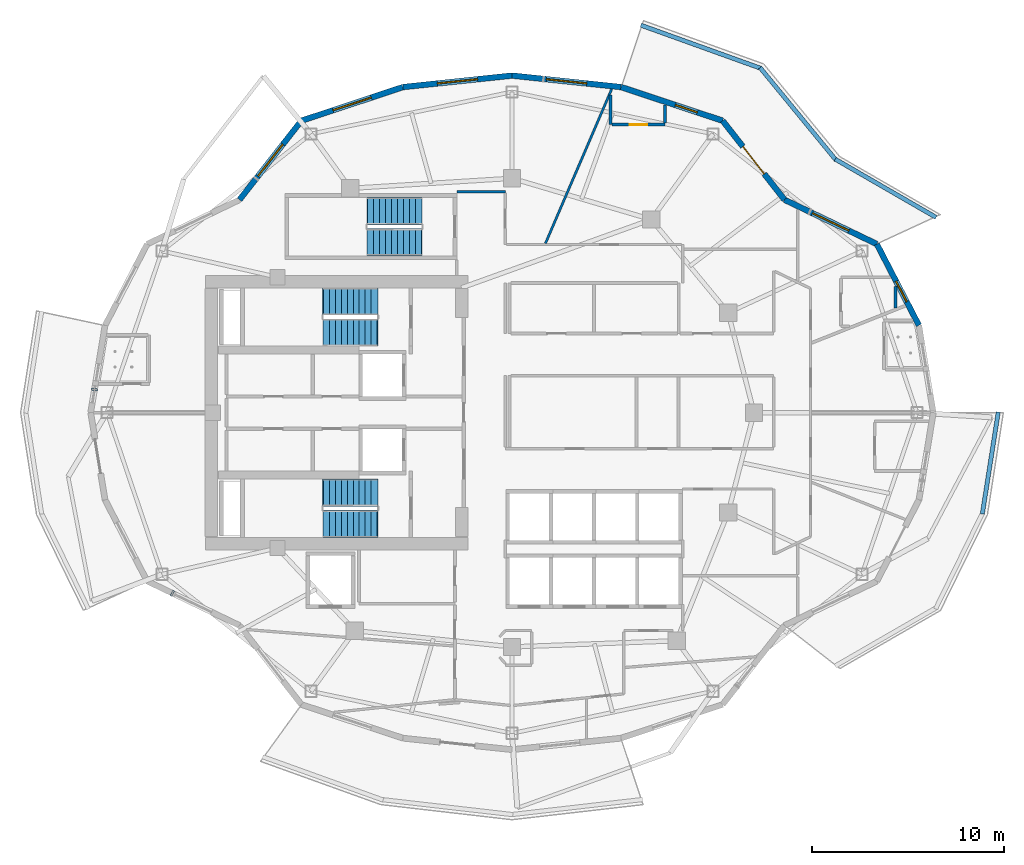
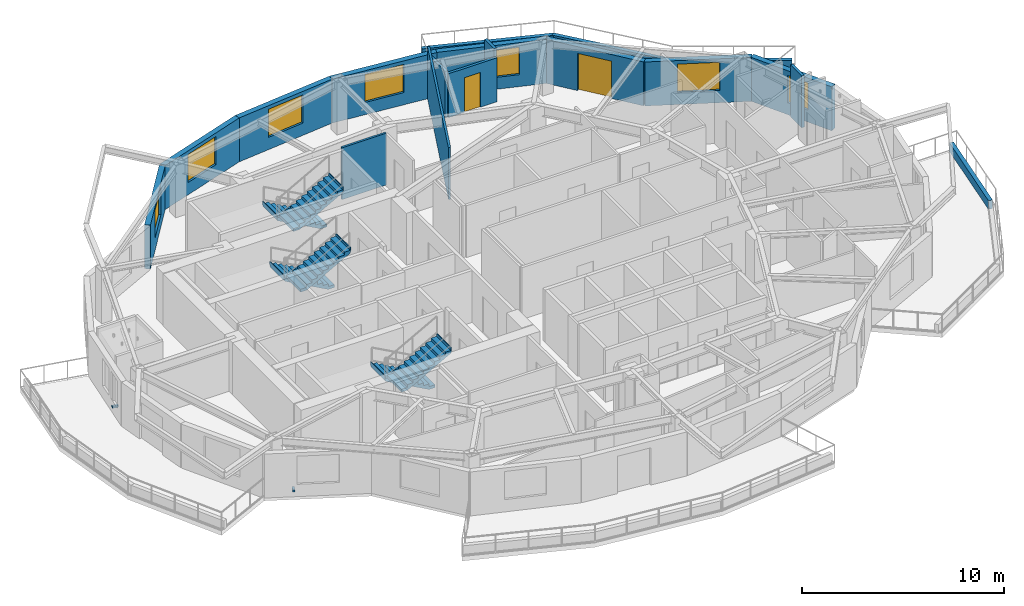
# One storey, part 7 of 13: 18 walls, 7 windows, 6 stair flights, 2 discrete accessories, 2 doors, 9 openings, 3 elements without a shape of their own.
"""IFC4 building model written with IfcOpenShell, lengths in metres."""

from ifc_helpers import new_model, si_unit, direction, frame, frame_2d, origin, origin_2d, place, context, subcontext, project, spatial, polyline, rectangle, outline, extrude, material, layer, layer_set, type_object, element, fill, aggregate, save


model = new_model("IFC4")

# Units and contexts
model_context = context("Model", 3, precision=1e-05, world=origin(), true_north=direction((0.0, 1.0)))
body_context = subcontext(model_context, "Body", "Model", "MODEL_VIEW")
ifc_project = project(units=[si_unit("LENGTHUNIT", "METRE"), si_unit("AREAUNIT", "SQUARE_METRE"), si_unit("VOLUMEUNIT", "CUBIC_METRE"), si_unit("PLANEANGLEUNIT", "RADIAN"), si_unit("MASSUNIT", "GRAM", prefix="KILO")], contexts=[model_context])

# Site, building, storey
site_placement = place(None, origin())
site = spatial("IfcSite", under=ifc_project, at=site_placement, CompositionType="ELEMENT")
building_placement = place(site_placement, origin())
building = spatial("IfcBuilding", under=site, at=building_placement, Name="Kolvaren Gate Tower and Convention Centre", CompositionType="ELEMENT")
storey_placement = place(building_placement, frame((0.0, 0.0, 166.5)))
storey = spatial("IfcBuildingStorey", under=building, at=storey_placement, Name="L43", CompositionType="ELEMENT", Elevation=166.5)

# Walls
ifc_material_1 = material(Name="Fire-Rated Acoustic Gypsum Stud Partition", Category="gypsum")
ifc_layer_1 = layer(ifc_material_1, 0.1201171875)
ifc_layer_set_1 = layer_set([ifc_layer_1], Name="Fire-Rated Acoustic Gypsum Stud Partition")
wall_type_1 = type_object("IfcWallType", Name="ARCH-WL-PART-120", PredefinedType="PARTITIONING", material=ifc_layer_set_1)
wall_1_placement = place(storey_placement, frame((27.25, 38.5, 0.0), z_axis=(0.0, 0.0, 1.0), x_axis=(1.0, 0.0, 0.0)))
element("IfcWall", 1, at=wall_1_placement, inside=storey, type_object=wall_type_1, Name="Interior Partition WL-L43-INT-031", PredefinedType="PARTITIONING", context=body_context, shape_type="SweptSolid", body=[
    extrude(rectangle(XDim=2.530029296875, YDim=0.1201171875, at=frame_2d((1.26513671875, 0.0))), origin(), (0.0, 0.0, 1.0), 3.1298828125),
])
wall_2_placement = place(storey_placement, frame((31.86669921875, 35.81201171875, 0.0), z_axis=(0.0, 0.0, 1.0), x_axis=(0.394572646642, 0.918864748765, 0.0)))
element("IfcWall", 2, at=wall_2_placement, inside=storey, type_object=wall_type_1, Name="Interior Partition WL-L43-INT-070", PredefinedType="PARTITIONING", context=body_context, shape_type="SweptSolid", body=[
    extrude(rectangle(XDim=8.747802734375, YDim=0.1201171875, at=frame_2d((4.3740234375, 0.0))), origin(), (0.0, 0.0, 1.0), 3.1298828125),
])
ifc_material_2 = material(Name="Piedmont Cream Honed Limestone Cladding", Category="masonry")
ifc_layer_2 = layer(ifc_material_2, 0.219970703125)
ifc_layer_set_2 = layer_set([ifc_layer_2], Name="Piedmont Cream Honed Limestone Cladding")
wall_type_2 = type_object("IfcWallType", Name="ARCH-WL-PLANTER-220", PredefinedType="PARAPET", material=ifc_layer_set_2)
wall_3_placement = place(storey_placement, frame((46.95751953125, 40.1953125, 0.0), z_axis=(0.0, 0.0, 1.0), x_axis=(0.866058128659, -0.499943314571, 0.0)))
element("IfcWall", 3, at=wall_3_placement, inside=storey, type_object=wall_type_2, Name="Vertical-Forest Balcony Stone Planter Kerb PK-L43-1.1", PredefinedType="PARAPET", context=body_context, shape_type="SweptSolid", body=[
    extrude(rectangle(XDim=6.060302734375, YDim=0.219970703125, at=frame_2d((3.0302734375, 0.0))), origin(), (0.0, 0.0, 1.0), 0.52001953125),
])
wall_4_placement = place(storey_placement, frame((43.0419921875, 44.96435546875, 0.0), z_axis=(0.0, 0.0, 1.0), x_axis=(0.634429234628, -0.77298094818, 0.0)))
element("IfcWall", 4, at=wall_4_placement, inside=storey, type_object=wall_type_2, Name="Vertical-Forest Balcony Stone Planter Kerb PK-L43-1.2", PredefinedType="PARAPET", context=body_context, shape_type="SweptSolid", body=[
    extrude(rectangle(XDim=6.244873046875, YDim=0.219970703125, at=frame_2d((3.12255859375, 0.0))), origin(), (0.0, 0.0, 1.0), 0.52001953125),
])
wall_5_placement = place(storey_placement, frame((36.836669921875, 47.173828125, 0.0), z_axis=(0.0, 0.0, 1.0), x_axis=(0.940948576924, -0.338549517184, 0.0)))
element("IfcWall", 5, at=wall_5_placement, inside=storey, type_object=wall_type_2, Name="Vertical-Forest Balcony Stone Planter Kerb PK-L43-1.3", PredefinedType="PARAPET", context=body_context, shape_type="SweptSolid", body=[
    extrude(rectangle(XDim=6.6640625, YDim=0.219970703125, at=frame_2d((3.33203125, 0.0))), origin(), (0.0, 0.0, 1.0), 0.52001953125),
])
wall_6_placement = place(storey_placement, frame((54.615234375, 21.719970703125, 0.0), z_axis=(0.0, 0.0, 1.0), x_axis=(0.154245214003, 0.988032597619, 0.0)))
element("IfcWall", 6, at=wall_6_placement, inside=storey, type_object=wall_type_2, Name="Vertical-Forest Balcony Stone Planter Kerb PK-L43-4.3", PredefinedType="PARAPET", context=body_context, shape_type="SweptSolid", body=[
    extrude(rectangle(XDim=5.37353515625, YDim=0.219970703125, at=frame_2d((2.686767578125, 0.0))), origin(), (0.0, 0.0, 1.0), 0.52001953125),
])

# Wall, opening, window
ifc_layer_3 = layer(ifc_material_2, 0.300048828125)
ifc_layer_set_3 = layer_set([ifc_layer_3], Name="Piedmont Cream Honed Limestone Cladding")
wall_type_3 = type_object("IfcWallType", Name="ARCH-WL-STONE-300", PredefinedType="SOLIDWALL", material=ifc_layer_set_3)
wall_7_placement = place(storey_placement, frame((49.123291015625, 35.77490234375, 0.0), z_axis=(0.0, 0.0, 1.0), x_axis=(0.459810251451, -0.888017191647, 0.0)))
wall_7 = element("IfcWall", 7, at=wall_7_placement, inside=storey, type_object=wall_type_3, Name="Tower L43 Honed Stone Spandrel Wall EW-01", PredefinedType="SOLIDWALL", context=body_context, shape_type="SweptSolid", body=[
    extrude(rectangle(XDim=4.766357421875, YDim=0.300048828125, at=frame_2d((2.38330078125, 0.0))), origin(), (0.0, 0.0, 1.0), 2.653076171875),
])
opening_1_placement = place(wall_7_placement, frame((2.179931640625, 0.0, 0.719970703125)))
opening_1 = element("IfcOpeningElement", 8, at=opening_1_placement, cuts=wall_7, Name="Opening W-04", PredefinedType="OPENING", context=body_context, shape_type="SweptSolid", body=[
    extrude(rectangle(XDim=1.199951171875, YDim=1.64990234375, at=frame_2d((0.60009765625, 0.824951171875))), frame((0.0, 0.159912109375, 0.0), z_axis=(0.0, -1.0, 0.0), x_axis=(1.0, 0.0, 0.0)), (0.0, 0.0, 1.0), 0.320068359375),
])
ifc_material_3 = material(Name="Low-E Triple Insulated Glazing Unit 44 mm", Category="glass")
window_type_1 = type_object("IfcWindowType", Name="ARCH-WN-NARROW-1200", PartitioningType="SINGLE_PANEL", PredefinedType="WINDOW", material=ifc_material_3)
window_1_placement = place(opening_1_placement, origin())
window_1 = element("IfcWindow", 9, at=window_1_placement, inside=storey, type_object=window_type_1, Name="Tower L43 Punched Stone Facade Window W-01", OverallHeight=1.64990234375, OverallWidth=1.199951171875, PartitioningType="SINGLE_PANEL", PredefinedType="WINDOW", context=body_context, shape_type="SweptSolid", body=[
    extrude(rectangle(XDim=1.199951171875, YDim=1.64990234375, at=frame_2d((0.60009765625, 0.824951171875))), frame((0.0, 0.030029296875, 0.0), z_axis=(0.0, -1.0, 0.0), x_axis=(1.0, 0.0, 0.0)), (0.0, 0.0, 1.0), 0.06005859375),
])
fill(opening_1, window_1)

wall_8_placement = place(storey_placement, frame((44.3134765625, 38.0859375, 0.0), z_axis=(0.0, 0.0, 1.0), x_axis=(0.901353070301, -0.433085029363, 0.0)))
wall_8 = element("IfcWall", 10, at=wall_8_placement, inside=storey, type_object=wall_type_3, Name="Tower L43 Honed Stone Spandrel Wall EW-02", PredefinedType="SOLIDWALL", context=body_context, shape_type="SweptSolid", body=[
    extrude(rectangle(XDim=5.336181640625, YDim=0.300048828125, at=frame_2d((2.66796875, 0.0))), origin(), (0.0, 0.0, 1.0), 2.653076171875),
])
opening_2_placement = place(wall_8_placement, frame((1.617919921875, 0.0, 0.739990234375)))
opening_2 = element("IfcOpeningElement", 11, at=opening_2_placement, cuts=wall_8, Name="Opening W-02", PredefinedType="OPENING", context=body_context, shape_type="SweptSolid", body=[
    extrude(rectangle(XDim=2.10009765625, YDim=1.699951171875, at=frame_2d((1.050048828125, 0.85009765625))), frame((0.0, 0.159912109375, 0.0), z_axis=(0.0, -1.0, 0.0), x_axis=(1.0, 0.0, 0.0)), (0.0, 0.0, 1.0), 0.320068359375),
])
window_type_2 = type_object("IfcWindowType", Name="ARCH-WN-HTL-2100", PartitioningType="SINGLE_PANEL", PredefinedType="WINDOW", material=ifc_material_3)
window_2_placement = place(opening_2_placement, origin())
window_2 = element("IfcWindow", 12, at=window_2_placement, inside=storey, type_object=window_type_2, Name="Tower L43 Punched Stone Facade Window W-02", OverallHeight=1.699951171875, OverallWidth=2.10009765625, PartitioningType="SINGLE_PANEL", PredefinedType="WINDOW", context=body_context, shape_type="SweptSolid", body=[
    extrude(rectangle(XDim=2.10009765625, YDim=1.699951171875, at=frame_2d((1.050048828125, 0.85009765625))), frame((0.0, 0.030029296875, 0.0), z_axis=(0.0, -1.0, 0.0), x_axis=(1.0, 0.0, 0.0)), (0.0, 0.0, 1.0), 0.06005859375),
])
fill(opening_2, window_2)

# Wall, opening, door
wall_9_placement = place(storey_placement, frame((41.09375, 42.19873046875, 0.0), z_axis=(0.0, 0.0, 1.0), x_axis=(0.616429245738, -0.787410302828, 0.0)))
wall_9 = element("IfcWall", 13, at=wall_9_placement, inside=storey, type_object=wall_type_3, Name="Tower L43 Honed Stone Spandrel Wall EW-03", PredefinedType="SOLIDWALL", context=body_context, shape_type="SweptSolid", body=[
    extrude(rectangle(XDim=5.22314453125, YDim=0.300048828125, at=frame_2d((2.611572265625, 0.0))), origin(), (0.0, 0.0, 1.0), 2.653076171875),
])
opening_3_placement = place(wall_9_placement, frame((1.7119140625, 0.0, 0.0)))
opening_3 = element("IfcOpeningElement", 14, at=opening_3_placement, cuts=wall_9, Name="Opening DB-01", PredefinedType="OPENING", context=body_context, shape_type="SweptSolid", body=[
    extrude(rectangle(XDim=1.800048828125, YDim=2.25, at=frame_2d((0.89990234375, 1.125))), frame((0.0, 0.159912109375, 0.0), z_axis=(0.0, -1.0, 0.0), x_axis=(1.0, 0.0, 0.0)), (0.0, 0.0, 1.0), 0.320068359375),
])
ifc_material_4 = material(Name="Anodized Architectural Aluminium Alloy 6063-T6", Category="aluminium")
door_type_1 = type_object("IfcDoorType", Name="ARCH-DR-BALC-1800", OperationType="SLIDING_TO_LEFT", PredefinedType="DOOR", material=ifc_material_4)
door_1_placement = place(opening_3_placement, origin())
door_1 = element("IfcDoor", 15, at=door_1_placement, inside=storey, type_object=door_type_1, Name="Planted Sky Terrace Access Door DB-L43-03", OperationType="SLIDING_TO_LEFT", OverallHeight=2.25, OverallWidth=1.800048828125, PredefinedType="DOOR", context=body_context, shape_type="SweptSolid", body=[
    extrude(rectangle(XDim=1.800048828125, YDim=2.25, at=frame_2d((0.89990234375, 1.125))), frame((0.0, 0.02490234375, 0.0), z_axis=(0.0, -1.0, 0.0), x_axis=(1.0, 0.0, 0.0)), (0.0, 0.0, 1.0), 0.050048828125),
])
fill(opening_3, door_1)

# Wall, opening, window
wall_10_placement = place(storey_placement, frame((35.802734375, 43.951904296875, 0.0), z_axis=(0.0, 0.0, 1.0), x_axis=(0.949246811547, -0.314532177636, 0.0)))
wall_10 = element("IfcWall", 16, at=wall_10_placement, inside=storey, type_object=wall_type_3, Name="Tower L43 Honed Stone Spandrel Wall EW-04", PredefinedType="SOLIDWALL", context=body_context, shape_type="SweptSolid", body=[
    extrude(rectangle(XDim=5.573974609375, YDim=0.300048828125, at=frame_2d((2.787109375, 0.0))), origin(), (0.0, 0.0, 1.0), 2.653076171875),
])
opening_4_placement = place(wall_10_placement, frame((2.97998046875, 0.0, 0.719970703125)))
opening_4 = element("IfcOpeningElement", 17, at=opening_4_placement, cuts=wall_10, Name="Opening W-04", PredefinedType="OPENING", context=body_context, shape_type="SweptSolid", body=[
    extrude(rectangle(XDim=1.199951171875, YDim=1.64990234375, at=frame_2d((0.60009765625, 0.824951171875))), frame((0.0, 0.159912109375, 0.0), z_axis=(0.0, -1.0, 0.0), x_axis=(1.0, 0.0, 0.0)), (0.0, 0.0, 1.0), 0.320068359375),
])
window_3_placement = place(opening_4_placement, origin())
window_3 = element("IfcWindow", 18, at=window_3_placement, inside=storey, type_object=window_type_1, Name="Tower L43 Punched Stone Facade Window W-04", OverallHeight=1.64990234375, OverallWidth=1.199951171875, PartitioningType="SINGLE_PANEL", PredefinedType="WINDOW", context=body_context, shape_type="SweptSolid", body=[
    extrude(rectangle(XDim=1.199951171875, YDim=1.64990234375, at=frame_2d((0.60009765625, 0.824951171875))), frame((0.0, 0.030029296875, 0.0), z_axis=(0.0, -1.0, 0.0), x_axis=(1.0, 0.0, 0.0)), (0.0, 0.0, 1.0), 0.06005859375),
])
fill(opening_4, window_3)

wall_11_placement = place(storey_placement, frame((30.125, 44.550048828125, 0.0), z_axis=(0.0, 0.0, 1.0), x_axis=(0.994496545245, -0.104769372887, 0.0)))
wall_11 = element("IfcWall", 19, at=wall_11_placement, inside=storey, type_object=wall_type_3, Name="Tower L43 Honed Stone Spandrel Wall EW-05", PredefinedType="SOLIDWALL", context=body_context, shape_type="SweptSolid", body=[
    extrude(rectangle(XDim=5.709228515625, YDim=0.300048828125, at=frame_2d((2.8544921875, 0.0))), origin(), (0.0, 0.0, 1.0), 2.653076171875),
])
opening_5_placement = place(wall_11_placement, frame((1.804931640625, 0.0, 0.739990234375)))
opening_5 = element("IfcOpeningElement", 20, at=opening_5_placement, cuts=wall_11, Name="Opening W-02", PredefinedType="OPENING", context=body_context, shape_type="SweptSolid", body=[
    extrude(rectangle(XDim=2.10009765625, YDim=1.699951171875, at=frame_2d((1.050048828125, 0.85009765625))), frame((0.0, 0.159912109375, 0.0), z_axis=(0.0, -1.0, 0.0), x_axis=(1.0, 0.0, 0.0)), (0.0, 0.0, 1.0), 0.320068359375),
])
window_4_placement = place(opening_5_placement, origin())
window_4 = element("IfcWindow", 21, at=window_4_placement, inside=storey, type_object=window_type_2, Name="Tower L43 Punched Stone Facade Window W-05", OverallHeight=1.699951171875, OverallWidth=2.10009765625, PartitioningType="SINGLE_PANEL", PredefinedType="WINDOW", context=body_context, shape_type="SweptSolid", body=[
    extrude(rectangle(XDim=2.10009765625, YDim=1.699951171875, at=frame_2d((1.050048828125, 0.85009765625))), frame((0.0, 0.030029296875, 0.0), z_axis=(0.0, -1.0, 0.0), x_axis=(1.0, 0.0, 0.0)), (0.0, 0.0, 1.0), 0.06005859375),
])
fill(opening_5, window_4)

wall_12_placement = place(storey_placement, frame((24.447265625, 43.951904296875, 0.0), z_axis=(0.0, 0.0, 1.0), x_axis=(0.994496545245, 0.104769372887, 0.0)))
wall_12 = element("IfcWall", 22, at=wall_12_placement, inside=storey, type_object=wall_type_3, Name="Tower L43 Honed Stone Spandrel Wall EW-06", PredefinedType="SOLIDWALL", context=body_context, shape_type="SweptSolid", body=[
    extrude(rectangle(XDim=5.709228515625, YDim=0.300048828125, at=frame_2d((2.8544921875, 0.0))), origin(), (0.0, 0.0, 1.0), 2.653076171875),
])
opening_6_placement = place(wall_12_placement, frame((1.804931640625, 0.0, 0.739990234375)))
opening_6 = element("IfcOpeningElement", 23, at=opening_6_placement, cuts=wall_12, Name="Opening W-02", PredefinedType="OPENING", context=body_context, shape_type="SweptSolid", body=[
    extrude(rectangle(XDim=2.10009765625, YDim=1.699951171875, at=frame_2d((1.050048828125, 0.85009765625))), frame((0.0, 0.159912109375, 0.0), z_axis=(0.0, -1.0, 0.0), x_axis=(1.0, 0.0, 0.0)), (0.0, 0.0, 1.0), 0.320068359375),
])
window_5_placement = place(opening_6_placement, origin())
window_5 = element("IfcWindow", 24, at=window_5_placement, inside=storey, type_object=window_type_2, Name="Tower L43 Punched Stone Facade Window W-06", OverallHeight=1.699951171875, OverallWidth=2.10009765625, PartitioningType="SINGLE_PANEL", PredefinedType="WINDOW", context=body_context, shape_type="SweptSolid", body=[
    extrude(rectangle(XDim=2.10009765625, YDim=1.699951171875, at=frame_2d((1.050048828125, 0.85009765625))), frame((0.0, 0.030029296875, 0.0), z_axis=(0.0, -1.0, 0.0), x_axis=(1.0, 0.0, 0.0)), (0.0, 0.0, 1.0), 0.06005859375),
])
fill(opening_6, window_5)

wall_13_placement = place(storey_placement, frame((19.15625, 42.19873046875, 0.0), z_axis=(0.0, 0.0, 1.0), x_axis=(0.949246811547, 0.314532177636, 0.0)))
wall_13 = element("IfcWall", 25, at=wall_13_placement, inside=storey, type_object=wall_type_3, Name="Tower L43 Honed Stone Spandrel Wall EW-07", PredefinedType="SOLIDWALL", context=body_context, shape_type="SweptSolid", body=[
    extrude(rectangle(XDim=5.573974609375, YDim=0.300048828125, at=frame_2d((2.787109375, 0.0))), origin(), (0.0, 0.0, 1.0), 2.653076171875),
])
opening_7_placement = place(wall_13_placement, frame((1.737060546875, 0.0, 0.739990234375)))
opening_7 = element("IfcOpeningElement", 26, at=opening_7_placement, cuts=wall_13, Name="Opening W-02", PredefinedType="OPENING", context=body_context, shape_type="SweptSolid", body=[
    extrude(rectangle(XDim=2.10009765625, YDim=1.699951171875, at=frame_2d((1.050048828125, 0.85009765625))), frame((0.0, 0.159912109375, 0.0), z_axis=(0.0, -1.0, 0.0), x_axis=(1.0, 0.0, 0.0)), (0.0, 0.0, 1.0), 0.320068359375),
])
window_6_placement = place(opening_7_placement, origin())
window_6 = element("IfcWindow", 27, at=window_6_placement, inside=storey, type_object=window_type_2, Name="Tower L43 Punched Stone Facade Window W-07", OverallHeight=1.699951171875, OverallWidth=2.10009765625, PartitioningType="SINGLE_PANEL", PredefinedType="WINDOW", context=body_context, shape_type="SweptSolid", body=[
    extrude(rectangle(XDim=2.10009765625, YDim=1.699951171875, at=frame_2d((1.050048828125, 0.85009765625))), frame((0.0, 0.030029296875, 0.0), z_axis=(0.0, -1.0, 0.0), x_axis=(1.0, 0.0, 0.0)), (0.0, 0.0, 1.0), 0.06005859375),
])
fill(opening_7, window_6)

wall_14_placement = place(storey_placement, frame((15.9365234375, 38.0859375, 0.0), z_axis=(0.0, 0.0, 1.0), x_axis=(0.616429245738, 0.787410302828, 0.0)))
wall_14 = element("IfcWall", 28, at=wall_14_placement, inside=storey, type_object=wall_type_3, Name="Tower L43 Honed Stone Spandrel Wall EW-08", PredefinedType="SOLIDWALL", context=body_context, shape_type="SweptSolid", body=[
    extrude(rectangle(XDim=5.22314453125, YDim=0.300048828125, at=frame_2d((2.611572265625, 0.0))), origin(), (0.0, 0.0, 1.0), 2.653076171875),
])
opening_8_placement = place(wall_14_placement, frame((1.56201171875, 0.0, 0.739990234375)))
opening_8 = element("IfcOpeningElement", 29, at=opening_8_placement, cuts=wall_14, Name="Opening W-02", PredefinedType="OPENING", context=body_context, shape_type="SweptSolid", body=[
    extrude(rectangle(XDim=2.10009765625, YDim=1.699951171875, at=frame_2d((1.050048828125, 0.85009765625))), frame((0.0, 0.159912109375, 0.0), z_axis=(0.0, -1.0, 0.0), x_axis=(1.0, 0.0, 0.0)), (0.0, 0.0, 1.0), 0.320068359375),
])
window_7_placement = place(opening_8_placement, origin())
window_7 = element("IfcWindow", 30, at=window_7_placement, inside=storey, type_object=window_type_2, Name="Tower L43 Punched Stone Facade Window W-08", OverallHeight=1.699951171875, OverallWidth=2.10009765625, PartitioningType="SINGLE_PANEL", PredefinedType="WINDOW", context=body_context, shape_type="SweptSolid", body=[
    extrude(rectangle(XDim=2.10009765625, YDim=1.699951171875, at=frame_2d((1.050048828125, 0.85009765625))), frame((0.0, 0.030029296875, 0.0), z_axis=(0.0, -1.0, 0.0), x_axis=(1.0, 0.0, 0.0)), (0.0, 0.0, 1.0), 0.06005859375),
])
fill(opening_8, window_7)

# Walls
ifc_material_5 = material(Name="Moisture-Resistant Cement-Board Acoustic Partition", Category="gypsum")
ifc_layer_4 = layer(ifc_material_5, 0.14990234375)
ifc_layer_set_4 = layer_set([ifc_layer_4], Name="Moisture-Resistant Cement-Board Acoustic Partition")
wall_type_4 = type_object("IfcWallType", Name="ARCH-WL-WET-150", PredefinedType="PARTITIONING", material=ifc_layer_set_4)
wall_15_placement = place(storey_placement, frame((50.10009765625, 32.44580078125, 0.0), z_axis=(0.0, 0.0, 1.0), x_axis=(0.0, 1.0, 0.0)))
element("IfcWall", 31, at=wall_15_placement, inside=storey, type_object=wall_type_4, Name="Interior Partition WL-L43-INT-068", PredefinedType="PARTITIONING", context=body_context, shape_type="SweptSolid", body=[
    extrude(rectangle(XDim=1.112548828125, YDim=0.14990234375, at=frame_2d((0.55615234375, 0.0))), origin(), (0.0, 0.0, 1.0), 3.1298828125),
])
wall_16_placement = place(storey_placement, frame((35.25, 42.0, 0.0), z_axis=(0.0, 0.0, 1.0), x_axis=(0.0, 1.0, 0.0)))
element("IfcWall", 32, at=wall_16_placement, inside=storey, type_object=wall_type_4, Name="Interior Partition WL-L43-INT-071", PredefinedType="PARTITIONING", context=body_context, shape_type="SweptSolid", body=[
    extrude(rectangle(XDim=1.53369140625, YDim=0.14990234375, at=frame_2d((0.766845703125, 0.0))), origin(), (0.0, 0.0, 1.0), 2.81201171875),
])

# Wall, opening, door
wall_17_placement = place(storey_placement, frame((35.326904296875, 42.0, 0.0), z_axis=(0.0, 0.0, 1.0), x_axis=(1.0, 0.0, 0.0)))
wall_17 = element("IfcWall", 33, at=wall_17_placement, inside=storey, type_object=wall_type_4, Name="Interior Partition WL-L43-INT-072", PredefinedType="PARTITIONING", context=body_context, shape_type="SweptSolid", body=[
    extrude(rectangle(XDim=2.773193359375, YDim=0.14990234375, at=frame_2d((1.38671875, 0.0))), origin(), (0.0, 0.0, 1.0), 2.653076171875),
])
opening_9_placement = place(wall_17_placement, frame((0.9365234375, 0.0, 0.0)))
opening_9 = element("IfcOpeningElement", 34, at=opening_9_placement, cuts=wall_17, Name="Opening DW-01", PredefinedType="OPENING", context=body_context, shape_type="SweptSolid", body=[
    extrude(rectangle(XDim=0.89990234375, YDim=2.10009765625, at=frame_2d((0.449951171875, 1.050048828125))), frame((0.0, 0.0849609375, 0.0), z_axis=(0.0, -1.0, 0.0), x_axis=(1.0, 0.0, 0.0)), (0.0, 0.0, 1.0), 0.169921875),
])
ifc_material_6 = material(Name="FSC Andean Oak Engineered Veneer Door Leaf", Category="wood")
door_type_2 = type_object("IfcDoorType", Name="ARCH-DR-WC-900", OperationType="SINGLE_SWING_RIGHT", PredefinedType="DOOR", material=ifc_material_6)
door_2_placement = place(opening_9_placement, origin())
door_2 = element("IfcDoor", 35, at=door_2_placement, inside=storey, type_object=door_type_2, Name="En-suite Bathroom (HTL-L43-13) Door", OperationType="SINGLE_SWING_LEFT", OverallHeight=2.10009765625, OverallWidth=0.89990234375, PredefinedType="DOOR", context=body_context, shape_type="SweptSolid", body=[
    extrude(rectangle(XDim=0.89990234375, YDim=2.10009765625, at=frame_2d((0.449951171875, 1.050048828125))), frame((0.0, 0.02490234375, 0.0), z_axis=(0.0, -1.0, 0.0), x_axis=(1.0, 0.0, 0.0)), (0.0, 0.0, 1.0), 0.050048828125),
])
fill(opening_9, door_2)

# Wall
wall_18_placement = place(storey_placement, frame((38.10009765625, 42.076904296875, 0.0), z_axis=(0.0, 0.0, 1.0), x_axis=(0.0, 1.0, 0.0)))
element("IfcWall", 36, at=wall_18_placement, inside=storey, type_object=wall_type_4, Name="Interior Partition WL-L43-INT-073", PredefinedType="PARTITIONING", context=body_context, shape_type="SweptSolid", body=[
    extrude(rectangle(XDim=0.95361328125, YDim=0.14990234375, at=frame_2d((0.476806640625, 0.0))), origin(), (0.0, 0.0, 1.0), 3.1298828125),
])

# Stair, stair flights
ifc_material_7 = material(Name="Concrete C50/60", Category="concrete")
stair_type = type_object("IfcStairType", Name="STR-STAIR-CORE", PredefinedType="HALF_TURN_STAIR", material=ifc_material_7)
stair_1_placement = place(storey_placement, origin())
stair_1 = element("IfcStair", 37, at=stair_1_placement, inside=storey, type_object=stair_type, Name="L43 Tower North Exit Stair ST-T1", PredefinedType="HALF_TURN_STAIR")
stair_flight_type = type_object("IfcStairFlightType", Name="STR-SFL-1420", PredefinedType="STRAIGHT", material=ifc_material_7)
stair_flight_1_placement = place(storey_placement, frame((23.10009765625, 32.7900390625, 0.0), z_axis=(0.0, 0.0, 1.0), x_axis=(-1.0, 0.0, 0.0)))
stair_flight_1 = element("IfcStairFlight", 38, at=stair_flight_1_placement, type_object=stair_flight_type, Name="ST-T1 flight 1", NumberOfRisers=10, NumberOfTreads=9, PredefinedType="STRAIGHT", RiserHeight=0.17, TreadLength=0.31, context=body_context, shape_type="SweptSolid", body=[
    extrude(outline(polyline([(-0.034912109375, 0.0), (-0.034912109375, 0.169921875), (0.31005859375, 0.169921875), (0.31005859375, 0.340087890625), (0.6201171875, 0.340087890625), (0.6201171875, 0.510009765625), (0.929931640625, 0.510009765625), (0.929931640625, 0.679931640625), (1.239990234375, 0.679931640625), (1.239990234375, 0.85009765625), (1.550048828125, 0.85009765625), (1.550048828125, 1.02001953125), (1.860107421875, 1.02001953125), (1.860107421875, 1.18994140625), (2.169921875, 1.18994140625), (2.169921875, 1.360107421875), (2.47998046875, 1.360107421875), (2.47998046875, 1.530029296875), (2.7900390625, 1.530029296875), (2.7900390625, 1.699951171875), (2.8349609375, 1.699951171875), (2.8349609375, 1.5400390625), (2.7900390625, 1.359130859375), (0.311767578125, 0.0), (-0.034912109375, 0.0)])), frame((0.0, 0.7099609375, 0.0), z_axis=(0.0, -1.0, 0.0), x_axis=(1.0, 0.0, 0.0)), (0.0, 0.0, 1.0), 1.419921875),
])
stair_flight_2_placement = place(storey_placement, frame((20.31005859375, 31.169921875, 1.699951171875), z_axis=(0.0, 0.0, 1.0), x_axis=(1.0, 0.0, 0.0)))
stair_flight_2 = element("IfcStairFlight", 39, at=stair_flight_2_placement, type_object=stair_flight_type, Name="ST-T1 flight 2", NumberOfRisers=10, NumberOfTreads=9, PredefinedType="STRAIGHT", RiserHeight=0.17, TreadLength=0.31, context=body_context, shape_type="SweptSolid", body=[
    extrude(outline(polyline([(-0.034912109375, 0.0), (-0.034912109375, 0.169921875), (0.31005859375, 0.169921875), (0.31005859375, 0.340087890625), (0.6201171875, 0.340087890625), (0.6201171875, 0.510009765625), (0.929931640625, 0.510009765625), (0.929931640625, 0.679931640625), (1.239990234375, 0.679931640625), (1.239990234375, 0.85009765625), (1.550048828125, 0.85009765625), (1.550048828125, 1.02001953125), (1.860107421875, 1.02001953125), (1.860107421875, 1.18994140625), (2.169921875, 1.18994140625), (2.169921875, 1.360107421875), (2.47998046875, 1.360107421875), (2.47998046875, 1.530029296875), (2.7900390625, 1.530029296875), (2.7900390625, 1.699951171875), (2.8349609375, 1.699951171875), (2.8349609375, 1.5400390625), (2.7900390625, 1.359130859375), (0.311767578125, 0.0), (-0.034912109375, 0.0)])), frame((0.0, 0.7099609375, 0.0), z_axis=(0.0, -1.0, 0.0), x_axis=(1.0, 0.0, 0.0)), (0.0, 0.0, 1.0), 1.419921875),
])
aggregate(stair_1, [stair_flight_1, stair_flight_2])

stair_2_placement = place(storey_placement, origin())
stair_2 = element("IfcStair", 40, at=stair_2_placement, inside=storey, type_object=stair_type, Name="L43 Tower South Exit Stair ST-T2", PredefinedType="HALF_TURN_STAIR")
stair_flight_3_placement = place(storey_placement, frame((23.10009765625, 22.830078125, 0.0), z_axis=(0.0, 0.0, 1.0), x_axis=(-1.0, 0.0, 0.0)))
stair_flight_3 = element("IfcStairFlight", 41, at=stair_flight_3_placement, type_object=stair_flight_type, Name="ST-T2 flight 1", NumberOfRisers=10, NumberOfTreads=9, PredefinedType="STRAIGHT", RiserHeight=0.17, TreadLength=0.31, context=body_context, shape_type="SweptSolid", body=[
    extrude(outline(polyline([(-0.034912109375, 0.0), (-0.034912109375, 0.169921875), (0.31005859375, 0.169921875), (0.31005859375, 0.340087890625), (0.6201171875, 0.340087890625), (0.6201171875, 0.510009765625), (0.929931640625, 0.510009765625), (0.929931640625, 0.679931640625), (1.239990234375, 0.679931640625), (1.239990234375, 0.85009765625), (1.550048828125, 0.85009765625), (1.550048828125, 1.02001953125), (1.860107421875, 1.02001953125), (1.860107421875, 1.18994140625), (2.169921875, 1.18994140625), (2.169921875, 1.360107421875), (2.47998046875, 1.360107421875), (2.47998046875, 1.530029296875), (2.7900390625, 1.530029296875), (2.7900390625, 1.699951171875), (2.8349609375, 1.699951171875), (2.8349609375, 1.5400390625), (2.7900390625, 1.359130859375), (0.311767578125, 0.0), (-0.034912109375, 0.0)])), frame((0.0, 0.7099609375, 0.0), z_axis=(0.0, -1.0, 0.0), x_axis=(1.0, 0.0, 0.0)), (0.0, 0.0, 1.0), 1.419921875),
])
stair_flight_4_placement = place(storey_placement, frame((20.31005859375, 21.2099609375, 1.699951171875), z_axis=(0.0, 0.0, 1.0), x_axis=(1.0, 0.0, 0.0)))
stair_flight_4 = element("IfcStairFlight", 42, at=stair_flight_4_placement, type_object=stair_flight_type, Name="ST-T2 flight 2", NumberOfRisers=10, NumberOfTreads=9, PredefinedType="STRAIGHT", RiserHeight=0.17, TreadLength=0.31, context=body_context, shape_type="SweptSolid", body=[
    extrude(outline(polyline([(-0.034912109375, 0.0), (-0.034912109375, 0.169921875), (0.31005859375, 0.169921875), (0.31005859375, 0.340087890625), (0.6201171875, 0.340087890625), (0.6201171875, 0.510009765625), (0.929931640625, 0.510009765625), (0.929931640625, 0.679931640625), (1.239990234375, 0.679931640625), (1.239990234375, 0.85009765625), (1.550048828125, 0.85009765625), (1.550048828125, 1.02001953125), (1.860107421875, 1.02001953125), (1.860107421875, 1.18994140625), (2.169921875, 1.18994140625), (2.169921875, 1.360107421875), (2.47998046875, 1.360107421875), (2.47998046875, 1.530029296875), (2.7900390625, 1.530029296875), (2.7900390625, 1.699951171875), (2.8349609375, 1.699951171875), (2.8349609375, 1.5400390625), (2.7900390625, 1.359130859375), (0.311767578125, 0.0), (-0.034912109375, 0.0)])), frame((0.0, 0.7099609375, 0.0), z_axis=(0.0, -1.0, 0.0), x_axis=(1.0, 0.0, 0.0)), (0.0, 0.0, 1.0), 1.419921875),
])
aggregate(stair_2, [stair_flight_3, stair_flight_4])

stair_3_placement = place(storey_placement, origin())
stair_3 = element("IfcStair", 43, at=stair_3_placement, inside=storey, type_object=stair_type, Name="L43 Tower Mid-Zone Exit Stair ST-T3", PredefinedType="HALF_TURN_STAIR")
stair_flight_5_placement = place(storey_placement, frame((25.39990234375, 37.489990234375, 0.0), z_axis=(0.0, 0.0, 1.0), x_axis=(-1.0, 0.0, 0.0)))
stair_flight_5 = element("IfcStairFlight", 44, at=stair_flight_5_placement, type_object=stair_flight_type, Name="ST-T3 flight 1", NumberOfRisers=10, NumberOfTreads=9, PredefinedType="STRAIGHT", RiserHeight=0.17, TreadLength=0.31, context=body_context, shape_type="SweptSolid", body=[
    extrude(outline(polyline([(-0.034912109375, 0.0), (-0.034912109375, 0.169921875), (0.31005859375, 0.169921875), (0.31005859375, 0.340087890625), (0.6201171875, 0.340087890625), (0.6201171875, 0.510009765625), (0.929931640625, 0.510009765625), (0.929931640625, 0.679931640625), (1.239990234375, 0.679931640625), (1.239990234375, 0.85009765625), (1.550048828125, 0.85009765625), (1.550048828125, 1.02001953125), (1.860107421875, 1.02001953125), (1.860107421875, 1.18994140625), (2.169921875, 1.18994140625), (2.169921875, 1.360107421875), (2.47998046875, 1.360107421875), (2.47998046875, 1.530029296875), (2.7900390625, 1.530029296875), (2.7900390625, 1.699951171875), (2.8349609375, 1.699951171875), (2.8349609375, 1.5400390625), (2.7900390625, 1.359130859375), (0.311767578125, 0.0), (-0.034912109375, 0.0)])), frame((0.0, 0.7099609375, 0.0), z_axis=(0.0, -1.0, 0.0), x_axis=(1.0, 0.0, 0.0)), (0.0, 0.0, 1.0), 1.419921875),
])
stair_flight_6_placement = place(storey_placement, frame((22.610107421875, 35.8701171875, 1.699951171875), z_axis=(0.0, 0.0, 1.0), x_axis=(1.0, 0.0, 0.0)))
stair_flight_6 = element("IfcStairFlight", 45, at=stair_flight_6_placement, type_object=stair_flight_type, Name="ST-T3 flight 2", NumberOfRisers=10, NumberOfTreads=9, PredefinedType="STRAIGHT", RiserHeight=0.17, TreadLength=0.31, context=body_context, shape_type="SweptSolid", body=[
    extrude(outline(polyline([(-0.034912109375, 0.0), (-0.034912109375, 0.169921875), (0.31005859375, 0.169921875), (0.31005859375, 0.340087890625), (0.6201171875, 0.340087890625), (0.6201171875, 0.510009765625), (0.929931640625, 0.510009765625), (0.929931640625, 0.679931640625), (1.239990234375, 0.679931640625), (1.239990234375, 0.85009765625), (1.550048828125, 0.85009765625), (1.550048828125, 1.02001953125), (1.860107421875, 1.02001953125), (1.860107421875, 1.18994140625), (2.169921875, 1.18994140625), (2.169921875, 1.360107421875), (2.47998046875, 1.360107421875), (2.47998046875, 1.530029296875), (2.7900390625, 1.530029296875), (2.7900390625, 1.699951171875), (2.8349609375, 1.699951171875), (2.8349609375, 1.5400390625), (2.7900390625, 1.359130859375), (0.311767578125, 0.0), (-0.034912109375, 0.0)])), frame((0.0, 0.7099609375, 0.0), z_axis=(0.0, -1.0, 0.0), x_axis=(1.0, 0.0, 0.0)), (0.0, 0.0, 1.0), 1.419921875),
])
aggregate(stair_3, [stair_flight_5, stair_flight_6])

# Discrete accessories
discrete_accessory_type = type_object("IfcDiscreteAccessoryType", Name="ARCH-ACC-BRACKET-120", PredefinedType="BRACKET", material=ifc_material_4)
for number, where, z_axis, x_axis, name in (
    (46, (8.385498046875, 28.203857421875, 0.2900390625), (0.0, 0.0, 1.0), (0.162380568014, 0.986728205298, 0.0), "Ceramic Fin Wall Anchor Bracket FBK-L43-11"),
    (47, (12.44091796875, 17.593505859375, 0.2900390625), (0.0, 0.0, 1.0), (0.901358389955, -0.433073957723, 0.0), "Ceramic Fin Wall Anchor Bracket FBK-L43-14"),
):
    element("IfcDiscreteAccessory", number, at=place(storey_placement, frame(where, z_axis=z_axis, x_axis=x_axis)), inside=storey, type_object=discrete_accessory_type, Name=name, PredefinedType="BRACKET", context=body_context, shape_type="SweptSolid", body=[
        extrude(rectangle(XDim=0.1201171875, YDim=0.320068359375, at=origin_2d()), origin(), (0.0, 0.0, 1.0), 0.1201171875),
    ])

save(model, "model.ifc")
